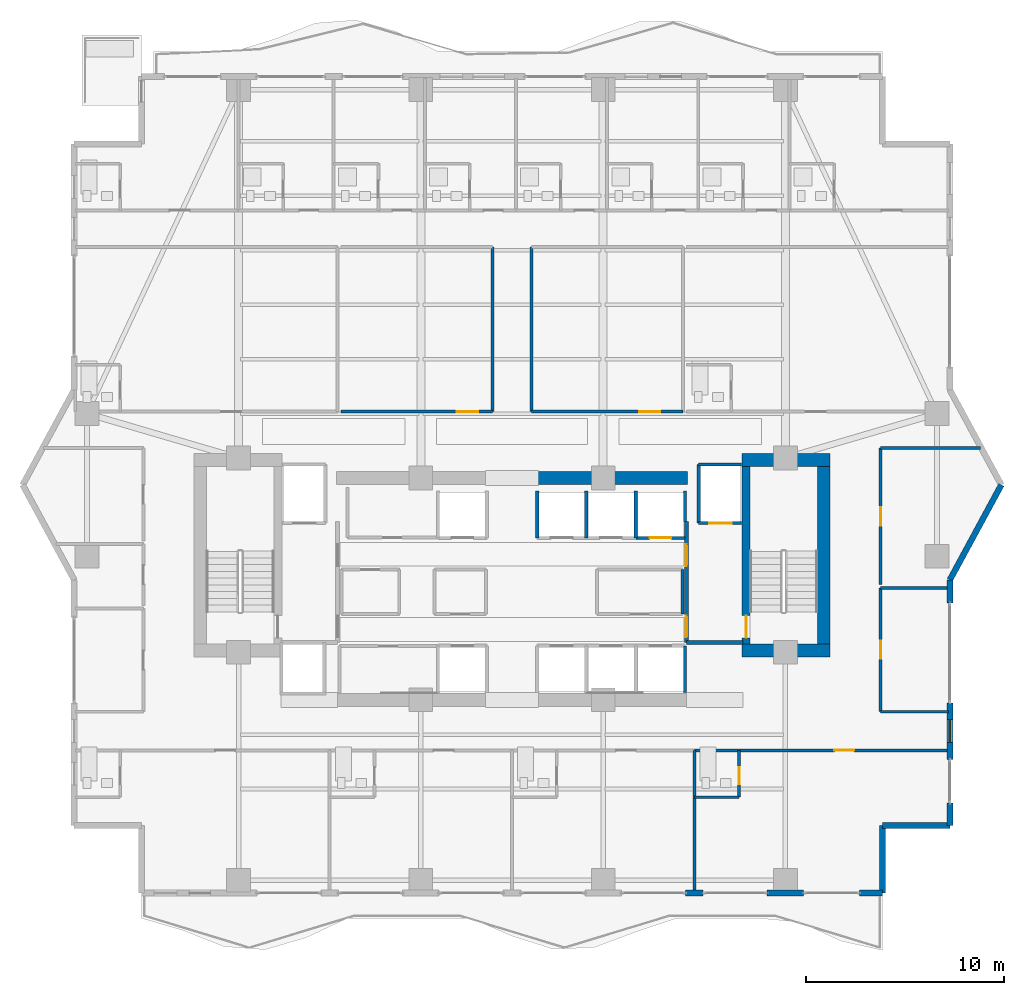
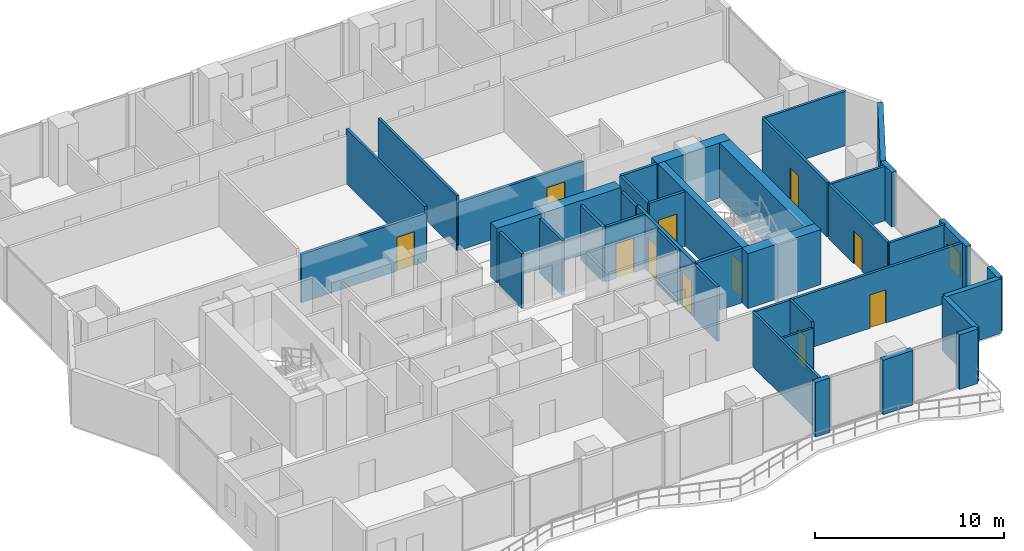
# One storey, part 26 of 32: 39 walls, 11 doors, 1 window, 12 openings.
"""IFC4 building model written with IfcOpenShell, lengths in metres."""

from ifc_helpers import new_model, si_unit, direction, frame, frame_2d, origin, place, context, subcontext, project, spatial, rectangle, extrude, material, layer, layer_set, type_object, element, fill, save


model = new_model("IFC4")

# Units and contexts
model_context = context("Model", 3, precision=1e-05, world=origin(), true_north=direction((0.0, 1.0)))
body_context = subcontext(model_context, "Body", "Model", "MODEL_VIEW")
ifc_project = project(units=[si_unit("LENGTHUNIT", "METRE"), si_unit("AREAUNIT", "SQUARE_METRE"), si_unit("VOLUMEUNIT", "CUBIC_METRE"), si_unit("PLANEANGLEUNIT", "RADIAN"), si_unit("MASSUNIT", "GRAM", prefix="KILO")], contexts=[model_context])

# Site, building, storey
site_placement = place(None, origin())
site = spatial("IfcSite", under=ifc_project, at=site_placement, CompositionType="ELEMENT")
building_placement = place(site_placement, origin())
building = spatial("IfcBuilding", under=site, at=building_placement, Name="Zuhayl Quay Hotel", CompositionType="ELEMENT")
storey_placement = place(building_placement, frame((0.0, 0.0, 226.14990234375)))
storey = spatial("IfcBuildingStorey", under=building, at=storey_placement, Name="L57", CompositionType="ELEMENT", Elevation=226.14990234375)

# Walls
ifc_material_1 = material(Name="Concrete C50/60", Category="concrete")
ifc_layer_1 = layer(ifc_material_1, 0.64990234375, Name="Concrete C50/60", Category="concrete")
ifc_layer_set_1 = layer_set([ifc_layer_1], Name="Concrete C50/60")
wall_type_1 = type_object("IfcWallType", Name="WL_CORE_650", PredefinedType="SHEAR", material=ifc_layer_set_1)
wall_1_placement = place(storey_placement, frame((11.60009765625, 14.2548828125, 0.0), z_axis=(0.0, 0.0, 1.0), x_axis=(1.0, 0.0, 0.0)))
element("IfcWall", 1, at=wall_1_placement, inside=storey, type_object=wall_type_1, Name="L57 Core Shear Wall CW_NE", PredefinedType="SHEAR", context=body_context, shape_type="SweptSolid", body=[
    extrude(rectangle(XDim=4.4599609375, YDim=0.64990234375, at=frame_2d((2.22998046875, 0.0))), origin(), (0.0, 0.0, 1.0), 3.56005859375),
])
wall_2_placement = place(storey_placement, frame((15.735107421875, 4.969970703125, 0.0), z_axis=(0.0, 0.0, 1.0), x_axis=(0.0, 1.0, 0.0)))
element("IfcWall", 2, at=wall_2_placement, inside=storey, type_object=wall_type_1, Name="L57 Core Shear Wall CW_E", PredefinedType="SHEAR", context=body_context, shape_type="SweptSolid", body=[
    extrude(rectangle(XDim=8.9599609375, YDim=0.64990234375, at=frame_2d((4.47998046875, 0.0))), origin(), (0.0, 0.0, 1.0), 3.56005859375),
])
wall_3_placement = place(storey_placement, frame((11.60009765625, 4.64501953125, 0.0), z_axis=(0.0, 0.0, 1.0), x_axis=(1.0, 0.0, 0.0)))
element("IfcWall", 3, at=wall_3_placement, inside=storey, type_object=wall_type_1, Name="L57 Core Shear Wall CW_SE", PredefinedType="SHEAR", context=body_context, shape_type="SweptSolid", body=[
    extrude(rectangle(XDim=4.4599609375, YDim=0.64990234375, at=frame_2d((2.22998046875, 0.0))), origin(), (0.0, 0.0, 1.0), 3.56005859375),
])
wall_4_placement = place(storey_placement, frame((1.25, 13.35009765625, 0.0), z_axis=(0.0, 0.0, 1.0), x_axis=(1.0, 0.0, 0.0)))
element("IfcWall", 4, at=wall_4_placement, inside=storey, type_object=wall_type_1, Name="L57 Core Shear Wall CW_NC_E", PredefinedType="SHEAR", context=body_context, shape_type="SweptSolid", body=[
    extrude(rectangle(XDim=7.60009765625, YDim=0.64990234375, at=frame_2d((3.800048828125, 0.0))), origin(), (0.0, 0.0, 1.0), 3.530029296875),
])
ifc_material_2 = material(Name="Precast concrete C45/55", Category="concrete")
ifc_layer_2 = layer(ifc_material_2, 0.300048828125, Name="Precast concrete C45/55", Category="concrete")
ifc_layer_set_2 = layer_set([ifc_layer_2], Name="Precast concrete C45/55")
wall_type_2 = type_object("IfcWallType", Name="WL_EXT_300", PredefinedType="STANDARD", material=ifc_layer_set_2)
wall_5_placement = place(storey_placement, frame((24.699951171875, 13.0, 0.0), z_axis=(0.0, 0.0, 1.0), x_axis=(-0.476258655584, -0.879305233114, 0.0)))
element("IfcWall", 5, at=wall_5_placement, inside=storey, type_object=wall_type_2, Name="L57 Exterior Precast Wall ENV_L57_EW13", PredefinedType="STANDARD", context=body_context, shape_type="SweptSolid", body=[
    extrude(rectangle(XDim=5.458984375, YDim=0.300048828125, at=frame_2d((2.7294921875, 0.0))), origin(), (0.0, 0.0, 1.0), 3.530029296875),
])
wall_6_placement = place(storey_placement, frame((22.10009765625, 8.199951171875, 0.0), z_axis=(0.0, 0.0, 1.0), x_axis=(0.0, -1.0, 0.0)))
element("IfcWall", 6, at=wall_6_placement, inside=storey, type_object=wall_type_2, Name="L57 Exterior Precast Wall ENV_L57_E14_EW1", PredefinedType="STANDARD", context=body_context, shape_type="SweptSolid", body=[
    extrude(rectangle(XDim=1.14990234375, YDim=0.300048828125, at=frame_2d((0.574951171875, 0.0))), origin(), (0.0, 0.0, 1.0), 3.530029296875),
])

# Wall, opening, window
wall_7_placement = place(storey_placement, frame((22.10009765625, 2.0, 0.0), z_axis=(0.0, 0.0, 1.0), x_axis=(0.0, -1.0, 0.0)))
wall_7 = element("IfcWall", 7, at=wall_7_placement, inside=storey, type_object=wall_type_2, Name="L57 Exterior Precast Wall ENV_L57_E14_EW2", PredefinedType="STANDARD", context=body_context, shape_type="SweptSolid", body=[
    extrude(rectangle(XDim=2.85009765625, YDim=0.300048828125, at=frame_2d((1.425048828125, 0.0))), origin(), (0.0, 0.0, 1.0), 3.530029296875),
])
opening_1_placement = place(wall_7_placement, frame((0.85009765625, 0.0, 0.949951171875)))
opening_1 = element("IfcOpeningElement", 8, at=opening_1_placement, cuts=wall_7, Name="Opening W01N", PredefinedType="OPENING", context=body_context, shape_type="SweptSolid", body=[
    extrude(rectangle(XDim=1.14990234375, YDim=1.550048828125, at=frame_2d((0.574951171875, 0.77490234375))), frame((0.0, 0.159912109375, 0.0), z_axis=(0.0, -1.0, 0.0), x_axis=(1.0, 0.0, 0.0)), (0.0, 0.0, 1.0), 0.320068359375),
])
ifc_material_3 = material(Name="Dark Ceramic-Fritted Solar Glass", Category="glass")
window_type = type_object("IfcWindowType", Name="WN_NOTCH_1350", PartitioningType="SINGLE_PANEL", PredefinedType="WINDOW", material=ifc_material_3)
window_placement = place(opening_1_placement, origin())
window = element("IfcWindow", 9, at=window_placement, inside=storey, type_object=window_type, Name="L57 Operable Facade Window 2-1", OverallHeight=1.550048828125, OverallWidth=1.14990234375, PartitioningType="SINGLE_PANEL", PredefinedType="WINDOW", context=body_context, shape_type="SweptSolid", body=[
    extrude(rectangle(XDim=1.14990234375, YDim=1.550048828125, at=frame_2d((0.574951171875, 0.77490234375))), frame((0.0, 0.030029296875, 0.0), z_axis=(0.0, -1.0, 0.0), x_axis=(1.0, 0.0, 0.0)), (0.0, 0.0, 1.0), 0.06005859375),
])
fill(opening_1, window)

# Walls
wall_8_placement = place(storey_placement, frame((22.10009765625, -3.050048828125, 0.0), z_axis=(0.0, 0.0, 1.0), x_axis=(0.0, -1.0, 0.0)))
element("IfcWall", 10, at=wall_8_placement, inside=storey, type_object=wall_type_2, Name="L57 Exterior Precast Wall ENV_L57_E14_EW3", PredefinedType="STANDARD", context=body_context, shape_type="SweptSolid", body=[
    extrude(rectangle(XDim=1.14990234375, YDim=0.300048828125, at=frame_2d((0.574951171875, 0.0))), origin(), (0.0, 0.0, 1.0), 3.530029296875),
])
for number, where, z_axis, x_axis, name in (
    (11, (22.10009765625, -4.199951171875, 0.0), (0.0, 0.0, 1.0), (-1.0, 0.0, 0.0), "L57 Exterior Precast Wall ENV_L57_EW15"),
    (12, (18.699951171875, -4.199951171875, 0.0), (0.0, 0.0, 1.0), (0.0, -1.0, 0.0), "L57 Exterior Precast Wall ENV_L57_EW16"),
):
    element("IfcWall", number, at=place(storey_placement, frame(where, z_axis=z_axis, x_axis=x_axis)), inside=storey, type_object=wall_type_2, Name=name, PredefinedType="STANDARD", context=body_context, shape_type="SweptSolid", body=[
        extrude(rectangle(XDim=3.400146484375, YDim=0.300048828125, at=frame_2d((1.7001953125, 0.0))), origin(), (0.0, 0.0, 1.0), 3.530029296875),
    ])
wall_9_placement = place(storey_placement, frame((18.699951171875, -7.60009765625, 0.0), z_axis=(0.0, 0.0, 1.0), x_axis=(-1.0, 0.0, 0.0)))
element("IfcWall", 13, at=wall_9_placement, inside=storey, type_object=wall_type_2, Name="L57 Exterior Precast Wall ENV_L57_S_EW1", PredefinedType="STANDARD", context=body_context, shape_type="SweptSolid", body=[
    extrude(rectangle(XDim=1.14990234375, YDim=0.300048828125, at=frame_2d((0.574951171875, 0.0))), origin(), (0.0, 0.0, 1.0), 3.530029296875),
])
wall_10_placement = place(storey_placement, frame((14.719970703125, -7.60009765625, 0.0), z_axis=(0.0, 0.0, 1.0), x_axis=(-1.0, 0.0, 0.0)))
element("IfcWall", 14, at=wall_10_placement, inside=storey, type_object=wall_type_2, Name="L57 Exterior Precast Wall ENV_L57_S_EW2", PredefinedType="STANDARD", context=body_context, shape_type="SweptSolid", body=[
    extrude(rectangle(XDim=1.840087890625, YDim=0.300048828125, at=frame_2d((0.919921875, 0.0))), origin(), (0.0, 0.0, 1.0), 3.530029296875),
])
wall_11_placement = place(storey_placement, frame((9.64990234375, -7.60009765625, 0.0), z_axis=(0.0, 0.0, 1.0), x_axis=(-1.0, 0.0, 0.0)))
element("IfcWall", 15, at=wall_11_placement, inside=storey, type_object=wall_type_2, Name="L57 Exterior Precast Wall ENV_L57_S_EW3", PredefinedType="STANDARD", context=body_context, shape_type="SweptSolid", body=[
    extrude(rectangle(XDim=0.89990234375, YDim=0.300048828125, at=frame_2d((0.449951171875, 0.0))), origin(), (0.0, 0.0, 1.0), 3.530029296875),
])
ifc_material_4 = material(Name="Acoustic Gypsum Partition STC-58")
ifc_layer_3 = layer(ifc_material_4, 0.14990234375, Name="Acoustic Gypsum Partition STC-58")
ifc_layer_set_3 = layer_set([ifc_layer_3], Name="Acoustic Gypsum Partition STC-58")
wall_type_3 = type_object("IfcWallType", Name="WL_PART_150", PredefinedType="PARTITIONING", material=ifc_layer_set_3)
wall_12_placement = place(storey_placement, frame((8.610107421875, 6.47998046875, 0.0), z_axis=(0.0, 0.0, 1.0), x_axis=(0.0, 1.0, 0.0)))
element("IfcWall", 16, at=wall_12_placement, inside=storey, type_object=wall_type_3, Name="L57 Partition IW_L57_CORE_VL_E", PredefinedType="PARTITIONING", context=body_context, shape_type="SweptSolid", body=[
    extrude(rectangle(XDim=2.239990234375, YDim=0.14990234375, at=frame_2d((1.1201171875, 0.0))), origin(), (0.0, 0.0, 1.0), 3.530029296875),
])
for number, where, z_axis, x_axis, name in (
    (17, (-0.97998046875, 16.699951171875, 0.0), (0.0, 0.0, 1.0), (0.0, 1.0, 0.0), "L57 Partition IW_L57_Z3_MID_W_E"),
    (18, (0.97998046875, 16.699951171875, 0.0), (0.0, 0.0, 1.0), (0.0, 1.0, 0.0), "L57 Partition IW_L57_Z3_MID_E_W"),
):
    element("IfcWall", number, at=place(storey_placement, frame(where, z_axis=z_axis, x_axis=x_axis)), inside=storey, type_object=wall_type_3, Name=name, PredefinedType="PARTITIONING", context=body_context, shape_type="SweptSolid", body=[
        extrude(rectangle(XDim=8.300048828125, YDim=0.14990234375, at=frame_2d((4.14990234375, 0.0))), origin(), (0.0, 0.0, 1.0), 3.530029296875),
    ])
wall_13_placement = place(storey_placement, frame((9.199951171875, -7.52001953125, 0.0), z_axis=(0.0, 0.0, 1.0), x_axis=(0.0, 1.0, 0.0)))
element("IfcWall", 19, at=wall_13_placement, inside=storey, type_object=wall_type_3, Name="L57 Partition IW_L57_SU03_E", PredefinedType="PARTITIONING", context=body_context, shape_type="SweptSolid", body=[
    extrude(rectangle(XDim=7.1201171875, YDim=0.14990234375, at=frame_2d((3.56005859375, 0.0))), origin(), (0.0, 0.0, 1.0), 3.530029296875),
])
for number, where, z_axis, x_axis, name in (
    (20, (18.60009765625, 1.550048828125, 0.0), (0.0, 0.0, 1.0), (1.0, 0.0, 0.0), "L57 Partition IW_L57_HK_MAIN_S"),
    (21, (18.60009765625, 7.800048828125, 0.0), (0.0, 0.0, 1.0), (1.0, 0.0, 0.0), "L57 Partition IW_L57_HK_MAIN_N"),
):
    element("IfcWall", number, at=place(storey_placement, frame(where, z_axis=z_axis, x_axis=x_axis)), inside=storey, type_object=wall_type_3, Name=name, PredefinedType="PARTITIONING", context=body_context, shape_type="SweptSolid", body=[
        extrude(rectangle(XDim=3.43994140625, YDim=0.14990234375, at=frame_2d((1.719970703125, 0.0))), origin(), (0.0, 0.0, 1.0), 3.530029296875),
    ])
wall_14_placement = place(storey_placement, frame((18.60009765625, 14.85009765625, 0.0), z_axis=(0.0, 0.0, 1.0), x_axis=(1.0, 0.0, 0.0)))
element("IfcWall", 22, at=wall_14_placement, inside=storey, type_object=wall_type_3, Name="L57 Partition IW_L57_EFLK_2_N", PredefinedType="PARTITIONING", context=body_context, shape_type="SweptSolid", body=[
    extrude(rectangle(XDim=5.037841796875, YDim=0.14990234375, at=frame_2d((2.51904296875, 0.0))), origin(), (0.0, 0.0, 1.0), 3.530029296875),
])

# Wall, opening, door
ifc_layer_4 = layer(ifc_material_4, 0.159912109375, Name="Acoustic Gypsum Partition STC-58")
ifc_layer_set_4 = layer_set([ifc_layer_4], Name="Acoustic Gypsum Partition STC-58")
wall_type_4 = type_object("IfcWallType", Name="WL_PART_CORR_160", PredefinedType="PARTITIONING", material=ifc_layer_set_4)
wall_15_placement = place(storey_placement, frame((-8.639892578125, 16.699951171875, 0.0), z_axis=(0.0, 0.0, 1.0), x_axis=(1.0, 0.0, 0.0)))
wall_15 = element("IfcWall", 23, at=wall_15_placement, inside=storey, type_object=wall_type_4, Name="L57 Partition IW_L57_Z3_MID_W_S", PredefinedType="PARTITIONING", context=body_context, shape_type="SweptSolid", body=[
    extrude(rectangle(XDim=7.659912109375, YDim=0.159912109375, at=frame_2d((3.830078125, 0.0))), origin(), (0.0, 0.0, 1.0), 3.1240234375),
])
opening_2_placement = place(wall_15_placement, frame((5.85009765625, 0.0, 0.0)))
opening_2 = element("IfcOpeningElement", 24, at=opening_2_placement, cuts=wall_15, Name="Opening D05A", PredefinedType="OPENING", context=body_context, shape_type="SweptSolid", body=[
    extrude(rectangle(XDim=1.080078125, YDim=2.179931640625, at=frame_2d((0.5400390625, 1.08984375))), frame((0.0, 0.08984375, 0.0), z_axis=(0.0, -1.0, 0.0), x_axis=(1.0, 0.0, 0.0)), (0.0, 0.0, 1.0), 0.179931640625),
])
ifc_material_5 = material(Name="Solid Walnut Acoustic Fire Door")
door_type_1 = type_object("IfcDoorType", Name="DR_INT_1100", OperationType="NOTDEFINED", PredefinedType="DOOR", material=ifc_material_5)
door_1_placement = place(opening_2_placement, origin())
door_1 = element("IfcDoor", 25, at=door_1_placement, inside=storey, type_object=door_type_1, Name="L57 Club Salon Boardroom Door", OperationType="SINGLE_SWING_RIGHT", OverallHeight=2.179931640625, OverallWidth=1.080078125, PredefinedType="DOOR", context=body_context, shape_type="SweptSolid", body=[
    extrude(rectangle(XDim=1.080078125, YDim=2.179931640625, at=frame_2d((0.5400390625, 1.08984375))), frame((0.0, 0.02490234375, 0.0), z_axis=(0.0, -1.0, 0.0), x_axis=(1.0, 0.0, 0.0)), (0.0, 0.0, 1.0), 0.050048828125),
])
fill(opening_2, door_1)

wall_16_placement = place(storey_placement, frame((0.97998046875, 16.699951171875, 0.0), z_axis=(0.0, 0.0, 1.0), x_axis=(1.0, 0.0, 0.0)))
wall_16 = element("IfcWall", 26, at=wall_16_placement, inside=storey, type_object=wall_type_4, Name="L57 Partition IW_L57_Z3_MID_E_S", PredefinedType="PARTITIONING", context=body_context, shape_type="SweptSolid", body=[
    extrude(rectangle(XDim=7.659912109375, YDim=0.159912109375, at=frame_2d((3.830078125, 0.0))), origin(), (0.0, 0.0, 1.0), 3.1240234375),
])
opening_3_placement = place(wall_16_placement, frame((5.429931640625, 0.0, 0.0)))
opening_3 = element("IfcOpeningElement", 27, at=opening_3_placement, cuts=wall_16, Name="Opening D05A", PredefinedType="OPENING", context=body_context, shape_type="SweptSolid", body=[
    extrude(rectangle(XDim=1.080078125, YDim=2.179931640625, at=frame_2d((0.5400390625, 1.08984375))), frame((0.0, 0.08984375, 0.0), z_axis=(0.0, -1.0, 0.0), x_axis=(1.0, 0.0, 0.0)), (0.0, 0.0, 1.0), 0.179931640625),
])
door_2_placement = place(opening_3_placement, origin())
door_2 = element("IfcDoor", 28, at=door_2_placement, inside=storey, type_object=door_type_1, Name="L57 Horizon Screening Salon Door", OperationType="SINGLE_SWING_LEFT", OverallHeight=2.179931640625, OverallWidth=1.080078125, PredefinedType="DOOR", context=body_context, shape_type="SweptSolid", body=[
    extrude(rectangle(XDim=1.080078125, YDim=2.179931640625, at=frame_2d((0.5400390625, 1.08984375))), frame((0.0, 0.02490234375, 0.0), z_axis=(0.0, -1.0, 0.0), x_axis=(1.0, 0.0, 0.0)), (0.0, 0.0, 1.0), 0.050048828125),
])
fill(opening_3, door_2)

wall_17_placement = place(storey_placement, frame((9.199951171875, -0.39990234375, 0.0), z_axis=(0.0, 0.0, 1.0), x_axis=(1.0, 0.0, 0.0)))
wall_17 = element("IfcWall", 29, at=wall_17_placement, inside=storey, type_object=wall_type_4, Name="L57 Partition IW_L57_SU04_COR", PredefinedType="PARTITIONING", context=body_context, shape_type="SweptSolid", body=[
    extrude(rectangle(XDim=12.840087890625, YDim=0.159912109375, at=frame_2d((6.419921875, 0.0))), origin(), (0.0, 0.0, 1.0), 3.530029296875),
])
opening_4_placement = place(wall_17_placement, frame((7.070068359375, 0.0, 0.0)))
opening_4 = element("IfcOpeningElement", 30, at=opening_4_placement, cuts=wall_17, Name="Opening D03L", PredefinedType="OPENING", context=body_context, shape_type="SweptSolid", body=[
    extrude(rectangle(XDim=1.0, YDim=2.14990234375, at=frame_2d((0.5, 1.074951171875))), frame((0.0, 0.08984375, 0.0), z_axis=(0.0, -1.0, 0.0), x_axis=(1.0, 0.0, 0.0)), (0.0, 0.0, 1.0), 0.179931640625),
])
door_type_2 = type_object("IfcDoorType", Name="DR_SUITE_1000", OperationType="NOTDEFINED", PredefinedType="DOOR", material=ifc_material_5)
door_3_placement = place(opening_4_placement, origin())
door_3 = element("IfcDoor", 31, at=door_3_placement, inside=storey, type_object=door_type_2, Name="L57 City-View Junior Suite L57-04 Entrance Door", OperationType="SINGLE_SWING_LEFT", OverallHeight=2.14990234375, OverallWidth=1.0, PredefinedType="DOOR", context=body_context, shape_type="SweptSolid", body=[
    extrude(rectangle(XDim=1.0, YDim=2.14990234375, at=frame_2d((0.5, 1.074951171875))), frame((0.0, 0.02490234375, 0.0), z_axis=(0.0, -1.0, 0.0), x_axis=(1.0, 0.0, 0.0)), (0.0, 0.0, 1.0), 0.050048828125),
])
fill(opening_4, door_3)

wall_18_placement = place(storey_placement, frame((18.60009765625, 1.550048828125, 0.0), z_axis=(0.0, 0.0, 1.0), x_axis=(0.0, 1.0, 0.0)))
wall_18 = element("IfcWall", 32, at=wall_18_placement, inside=storey, type_object=wall_type_4, Name="L57 Partition IW_L57_HK_MAIN_W", PredefinedType="PARTITIONING", context=body_context, shape_type="SweptSolid", body=[
    extrude(rectangle(XDim=6.25, YDim=0.159912109375, at=frame_2d((3.125, 0.0))), origin(), (0.0, 0.0, 1.0), 3.530029296875),
])
opening_5_placement = place(wall_18_placement, frame((2.6650390625, 0.0, 0.0)))
opening_5 = element("IfcOpeningElement", 33, at=opening_5_placement, cuts=wall_18, Name="Opening D05", PredefinedType="OPENING", context=body_context, shape_type="SweptSolid", body=[
    extrude(rectangle(XDim=0.919921875, YDim=2.1201171875, at=frame_2d((0.4599609375, 1.06005859375))), frame((0.0, 0.08984375, 0.0), z_axis=(0.0, -1.0, 0.0), x_axis=(1.0, 0.0, 0.0)), (0.0, 0.0, 1.0), 0.179931640625),
])
door_type_3 = type_object("IfcDoorType", Name="DR_INT_950", OperationType="NOTDEFINED", PredefinedType="DOOR", material=ifc_material_5)
door_4_placement = place(opening_5_placement, origin())
door_4 = element("IfcDoor", 34, at=door_4_placement, inside=storey, type_object=door_type_3, Name="L57 Housekeeping and Linen Room Door", OperationType="SINGLE_SWING_RIGHT", OverallHeight=2.1201171875, OverallWidth=0.919921875, PredefinedType="DOOR", context=body_context, shape_type="SweptSolid", body=[
    extrude(rectangle(XDim=0.919921875, YDim=2.1201171875, at=frame_2d((0.4599609375, 1.06005859375))), frame((0.0, 0.02490234375, 0.0), z_axis=(0.0, -1.0, 0.0), x_axis=(1.0, 0.0, 0.0)), (0.0, 0.0, 1.0), 0.050048828125),
])
fill(opening_5, door_4)

wall_19_placement = place(storey_placement, frame((18.60009765625, 7.9599609375, 0.0), z_axis=(0.0, 0.0, 1.0), x_axis=(0.0, 1.0, 0.0)))
wall_19 = element("IfcWall", 35, at=wall_19_placement, inside=storey, type_object=wall_type_4, Name="L57 Partition IW_L57_EFLK_2_W", PredefinedType="PARTITIONING", context=body_context, shape_type="SweptSolid", body=[
    extrude(rectangle(XDim=6.89013671875, YDim=0.159912109375, at=frame_2d((3.445068359375, 0.0))), origin(), (0.0, 0.0, 1.0), 3.530029296875),
])
opening_6_placement = place(wall_19_placement, frame((2.985107421875, 0.0, 0.0)))
opening_6 = element("IfcOpeningElement", 36, at=opening_6_placement, cuts=wall_19, Name="Opening D05", PredefinedType="OPENING", context=body_context, shape_type="SweptSolid", body=[
    extrude(rectangle(XDim=0.919921875, YDim=2.1201171875, at=frame_2d((0.4599609375, 1.06005859375))), frame((0.0, 0.08984375, 0.0), z_axis=(0.0, -1.0, 0.0), x_axis=(1.0, 0.0, 0.0)), (0.0, 0.0, 1.0), 0.179931640625),
])
door_5_placement = place(opening_6_placement, origin())
door_5 = element("IfcDoor", 37, at=door_5_placement, inside=storey, type_object=door_type_3, Name="L57 Floor Beverage and Ice Pantry Door", OperationType="SINGLE_SWING_LEFT", OverallHeight=2.1201171875, OverallWidth=0.919921875, PredefinedType="DOOR", context=body_context, shape_type="SweptSolid", body=[
    extrude(rectangle(XDim=0.919921875, YDim=2.1201171875, at=frame_2d((0.4599609375, 1.06005859375))), frame((0.0, 0.02490234375, 0.0), z_axis=(0.0, -1.0, 0.0), x_axis=(1.0, 0.0, 0.0)), (0.0, 0.0, 1.0), 0.050048828125),
])
fill(opening_6, door_5)

ifc_material_6 = material(Name="Moisture-Resistant Sanitarychase Gypsum")
ifc_layer_5 = layer(ifc_material_6, 0.135009765625, Name="Moisture-Resistant Sanitarychase Gypsum")
ifc_layer_set_5 = layer_set([ifc_layer_5], Name="Moisture-Resistant Sanitarychase Gypsum")
wall_type_5 = type_object("IfcWallType", Name="WL_PART_PLUMB_150", PredefinedType="PLUMBINGWALL", material=ifc_layer_set_5)
wall_20_placement = place(storey_placement, frame((11.4599609375, -2.760009765625, 0.0), z_axis=(0.0, 0.0, 1.0), x_axis=(0.0, 1.0, 0.0)))
wall_20 = element("IfcWall", 38, at=wall_20_placement, inside=storey, type_object=wall_type_5, Name="L57 Partition IW_L57_SU04_BE", PredefinedType="PLUMBINGWALL", context=body_context, shape_type="SweptSolid", body=[
    extrude(rectangle(XDim=2.360107421875, YDim=0.135009765625, at=frame_2d((1.18017578125, 0.0))), origin(), (0.0, 0.0, 1.0), 3.530029296875),
])
opening_7_placement = place(wall_20_placement, frame((0.64990234375, 0.0, 0.0)))
opening_7 = element("IfcOpeningElement", 39, at=opening_7_placement, cuts=wall_20, Name="Opening D04", PredefinedType="OPENING", context=body_context, shape_type="SweptSolid", body=[
    extrude(rectangle(XDim=0.85009765625, YDim=2.10009765625, at=frame_2d((0.425048828125, 1.050048828125))), frame((0.0, 0.077392578125, 0.0), z_axis=(0.0, -1.0, 0.0), x_axis=(1.0, 0.0, 0.0)), (0.0, 0.0, 1.0), 0.155029296875),
])
ifc_material_7 = material(Name="Moisture-Resistant Walnut Veneer")
door_type_4 = type_object("IfcDoorType", Name="DR_BATH_850", OperationType="NOTDEFINED", PredefinedType="DOOR", material=ifc_material_7)
door_6_placement = place(opening_7_placement, origin())
door_6 = element("IfcDoor", 40, at=door_6_placement, inside=storey, type_object=door_type_4, Name="L57 City-View Junior Suite L57-04 En-Suite Door", OperationType="SINGLE_SWING_RIGHT", OverallHeight=2.10009765625, OverallWidth=0.85009765625, PredefinedType="DOOR", context=body_context, shape_type="SweptSolid", body=[
    extrude(rectangle(XDim=0.85009765625, YDim=2.10009765625, at=frame_2d((0.425048828125, 1.050048828125))), frame((0.0, 0.02490234375, 0.0), z_axis=(0.0, -1.0, 0.0), x_axis=(1.0, 0.0, 0.0)), (0.0, 0.0, 1.0), 0.050048828125),
])
fill(opening_7, door_6)

# Wall
wall_21_placement = place(storey_placement, frame((9.199951171875, -2.760009765625, 0.0), z_axis=(0.0, 0.0, 1.0), x_axis=(1.0, 0.0, 0.0)))
element("IfcWall", 41, at=wall_21_placement, inside=storey, type_object=wall_type_5, Name="L57 Partition IW_L57_SU04_BS", PredefinedType="PLUMBINGWALL", context=body_context, shape_type="SweptSolid", body=[
    extrude(rectangle(XDim=2.260009765625, YDim=0.135009765625, at=frame_2d((1.1298828125, 0.0))), origin(), (0.0, 0.0, 1.0), 3.1240234375),
])

# Wall, opening, door
ifc_material_8 = material(Name="Gypsum Fireboard Assembly EI-90")
ifc_layer_6 = layer(ifc_material_8, 0.1650390625, Name="Gypsum Fireboard Assembly EI-90")
ifc_layer_set_6 = layer_set([ifc_layer_6], Name="Gypsum Fireboard Assembly EI-90")
wall_type_6 = type_object("IfcWallType", Name="WL_PART_SHAFT_160", PredefinedType="PARTITIONING", material=ifc_layer_set_6)
wall_22_placement = place(storey_placement, frame((9.419921875, 11.070068359375, 0.0), z_axis=(0.0, 0.0, 1.0), x_axis=(1.0, 0.0, 0.0)))
wall_22 = element("IfcWall", 42, at=wall_22_placement, inside=storey, type_object=wall_type_6, Name="L57 Partition IW_L57_SH_FL2_F", PredefinedType="PARTITIONING", context=body_context, shape_type="SweptSolid", body=[
    extrude(rectangle(XDim=2.16015625, YDim=0.1650390625, at=frame_2d((1.080078125, 0.0))), origin(), (0.0, 0.0, 1.0), 3.530029296875),
])
opening_8_placement = place(wall_22_placement, frame((0.530029296875, 0.0, 0.0)))
opening_8 = element("IfcOpeningElement", 43, at=opening_8_placement, cuts=wall_22, Name="Opening LD2", PredefinedType="OPENING", context=body_context, shape_type="SweptSolid", body=[
    extrude(rectangle(XDim=1.14990234375, YDim=2.25, at=frame_2d((0.574951171875, 1.125))), frame((0.0, 0.092529296875, 0.0), z_axis=(0.0, -1.0, 0.0), x_axis=(1.0, 0.0, 0.0)), (0.0, 0.0, 1.0), 0.18505859375),
])
ifc_material_9 = material(Name="Brushed Stainless Steel", Category="steel")
door_type_5 = type_object("IfcDoorType", Name="DR_LIFT_FF_1100", OperationType="SLIDING_TO_LEFT", PredefinedType="DOOR", material=ifc_material_9)
door_7_placement = place(opening_8_placement, origin())
door_7 = element("IfcDoor", 44, at=door_7_placement, inside=storey, type_object=door_type_5, Name="L57 Lift FL2 Sliding Landing Door", OperationType="SLIDING_TO_LEFT", OverallHeight=2.25, OverallWidth=1.14990234375, PredefinedType="DOOR", context=body_context, shape_type="SweptSolid", body=[
    extrude(rectangle(XDim=1.14990234375, YDim=2.25, at=frame_2d((0.574951171875, 1.125))), frame((0.0, 0.02490234375, 0.0), z_axis=(0.0, -1.0, 0.0), x_axis=(1.0, 0.0, 0.0)), (0.0, 0.0, 1.0), 0.050048828125),
])
fill(opening_8, door_7)

wall_23_placement = place(storey_placement, frame((6.25, 10.320068359375, 0.0), z_axis=(0.0, 0.0, 1.0), x_axis=(1.0, 0.0, 0.0)))
wall_23 = element("IfcWall", 45, at=wall_23_placement, inside=storey, type_object=wall_type_6, Name="L57 Partition IW_L57_SH_HP4_F", PredefinedType="PARTITIONING", context=body_context, shape_type="SweptSolid", body=[
    extrude(rectangle(XDim=2.47998046875, YDim=0.1650390625, at=frame_2d((1.239990234375, 0.0))), origin(), (0.0, 0.0, 1.0), 3.530029296875),
])
opening_9_placement = place(wall_23_placement, frame((0.68994140625, 0.0, 0.0)))
opening_9 = element("IfcOpeningElement", 46, at=opening_9_placement, cuts=wall_23, Name="Opening LD1", PredefinedType="OPENING", context=body_context, shape_type="SweptSolid", body=[
    extrude(rectangle(XDim=1.10009765625, YDim=2.25, at=frame_2d((0.550048828125, 1.125))), frame((0.0, 0.092529296875, 0.0), z_axis=(0.0, -1.0, 0.0), x_axis=(1.0, 0.0, 0.0)), (0.0, 0.0, 1.0), 0.18505859375),
])
door_type_6 = type_object("IfcDoorType", Name="DR_LIFT_PASS_1100", OperationType="SLIDING_TO_LEFT", PredefinedType="DOOR", material=ifc_material_9)
door_8_placement = place(opening_9_placement, origin())
door_8 = element("IfcDoor", 47, at=door_8_placement, inside=storey, type_object=door_type_6, Name="L57 Lift HP4 Sliding Landing Door", OperationType="SLIDING_TO_LEFT", OverallHeight=2.25, OverallWidth=1.10009765625, PredefinedType="DOOR", context=body_context, shape_type="SweptSolid", body=[
    extrude(rectangle(XDim=1.10009765625, YDim=2.25, at=frame_2d((0.550048828125, 1.125))), frame((0.0, 0.02490234375, 0.0), z_axis=(0.0, -1.0, 0.0), x_axis=(1.0, 0.0, 0.0)), (0.0, 0.0, 1.0), 0.050048828125),
])
fill(opening_9, door_8)

# Walls
wall_24_placement = place(storey_placement, frame((9.419921875, 11.070068359375, 0.0), z_axis=(0.0, 0.0, 1.0), x_axis=(0.0, 1.0, 0.0)))
element("IfcWall", 48, at=wall_24_placement, inside=storey, type_object=wall_type_6, Name="L57 Partition IW_L57_SH_FL2_W", PredefinedType="PARTITIONING", context=body_context, shape_type="SweptSolid", body=[
    extrude(rectangle(XDim=2.9599609375, YDim=0.1650390625, at=frame_2d((1.47998046875, 0.0))), origin(), (0.0, 0.0, 1.0), 3.530029296875),
])
wall_25_placement = place(storey_placement, frame((9.419921875, 14.030029296875, 0.0), z_axis=(0.0, 0.0, 1.0), x_axis=(1.0, 0.0, 0.0)))
element("IfcWall", 49, at=wall_25_placement, inside=storey, type_object=wall_type_6, Name="L57 Partition IW_L57_SH_FL2_B", PredefinedType="PARTITIONING", context=body_context, shape_type="SweptSolid", body=[
    extrude(rectangle(XDim=2.16015625, YDim=0.1650390625, at=frame_2d((1.080078125, 0.0))), origin(), (0.0, 0.0, 1.0), 3.530029296875),
])
for number, where, z_axis, x_axis, name in (
    (50, (1.27001953125, 10.320068359375, 0.0), (0.0, 0.0, 1.0), (0.0, 1.0, 0.0), "L57 Partition IW_L57_SH_MP4_W"),
    (51, (3.75, 10.320068359375, 0.0), (0.0, 0.0, 1.0), (0.0, 1.0, 0.0), "L57 Partition IW_L57_SH_MP4_E"),
    (52, (8.72998046875, 2.52001953125, 0.0), (0.0, 0.0, 1.0), (0.0, 1.0, 0.0), "L57 Partition IW_L57_SH_HP2_E"),
    (53, (6.25, 10.320068359375, 0.0), (0.0, 0.0, 1.0), (0.0, 1.0, 0.0), "L57 Partition IW_L57_SH_HP3_E"),
):
    element("IfcWall", number, at=place(storey_placement, frame(where, z_axis=z_axis, x_axis=x_axis)), inside=storey, type_object=wall_type_6, Name=name, PredefinedType="PARTITIONING", context=body_context, shape_type="SweptSolid", body=[
        extrude(rectangle(XDim=2.35986328125, YDim=0.1650390625, at=frame_2d((1.179931640625, 0.0))), origin(), (0.0, 0.0, 1.0), 3.530029296875),
    ])
wall_26_placement = place(storey_placement, frame((8.72998046875, 11.14990234375, 0.0), z_axis=(0.0, 0.0, 1.0), x_axis=(0.0, 1.0, 0.0)))
element("IfcWall", 54, at=wall_26_placement, inside=storey, type_object=wall_type_6, Name="L57 Partition IW_L57_SH_HP4_E", PredefinedType="PARTITIONING", context=body_context, shape_type="SweptSolid", body=[
    extrude(rectangle(XDim=1.530029296875, YDim=0.1650390625, at=frame_2d((0.76513671875, 0.0))), origin(), (0.0, 0.0, 1.0), 3.530029296875),
])

# Wall, openings, doors
ifc_material_10 = material(Name="Gypsum Fireboard Assembly EI-120")
ifc_layer_7 = layer(ifc_material_10, 0.199951171875, Name="Gypsum Fireboard Assembly EI-120")
ifc_layer_set_7 = layer_set([ifc_layer_7], Name="Gypsum Fireboard Assembly EI-120")
wall_type_7 = type_object("IfcWallType", Name="WL_PART_SHAFT_200", PredefinedType="PARTITIONING", material=ifc_layer_set_7)
wall_27_placement = place(storey_placement, frame((8.800048828125, 11.14990234375, 0.0), z_axis=(0.0, 0.0, 1.0), x_axis=(0.0, -1.0, 0.0)))
wall_27 = element("IfcWall", 55, at=wall_27_placement, inside=storey, type_object=wall_type_7, Name="L57 Partition IW_L57_FSAE_E_W", PredefinedType="PARTITIONING", context=body_context, shape_type="SweptSolid", body=[
    extrude(rectangle(XDim=6.099853515625, YDim=0.199951171875, at=frame_2d((3.0498046875, 0.0))), origin(), (0.0, 0.0, 1.0), 3.530029296875),
])
opening_10_placement = place(wall_27_placement, frame((1.14990234375, 0.0, 0.0)))
opening_10 = element("IfcOpeningElement", 56, at=opening_10_placement, cuts=wall_27, Name="Opening D02", PredefinedType="OPENING", context=body_context, shape_type="SweptSolid", body=[
    extrude(rectangle(XDim=1.10009765625, YDim=2.199951171875, at=frame_2d((0.550048828125, 1.10009765625))), frame((0.0, 0.10986328125, 0.0), z_axis=(0.0, -1.0, 0.0), x_axis=(1.0, 0.0, 0.0)), (0.0, 0.0, 1.0), 0.219970703125),
])
opening_11_placement = place(wall_27_placement, frame((4.75, 0.0, 0.0)))
opening_11 = element("IfcOpeningElement", 57, at=opening_11_placement, cuts=wall_27, Name="Opening D02", PredefinedType="OPENING", context=body_context, shape_type="SweptSolid", body=[
    extrude(rectangle(XDim=1.10009765625, YDim=2.199951171875, at=frame_2d((0.550048828125, 1.10009765625))), frame((0.0, 0.10986328125, 0.0), z_axis=(0.0, -1.0, 0.0), x_axis=(1.0, 0.0, 0.0)), (0.0, 0.0, 1.0), 0.219970703125),
])
ifc_material_11 = material(Name="Steel ASTM A992 Grade 50", Category="steel")
door_type_7 = type_object("IfcDoorType", Name="DR_FIRE_90_1100", OperationType="NOTDEFINED", PredefinedType="DOOR", material=ifc_material_11)
door_9_placement = place(opening_10_placement, origin())
door_9 = element("IfcDoor", 58, at=door_9_placement, inside=storey, type_object=door_type_7, Name="L57 FSAE Lobby East North Entry Door", OperationType="SINGLE_SWING_LEFT", OverallHeight=2.199951171875, OverallWidth=1.10009765625, PredefinedType="DOOR", context=body_context, shape_type="SweptSolid", body=[
    extrude(rectangle(XDim=1.10009765625, YDim=2.199951171875, at=frame_2d((0.550048828125, 1.10009765625))), frame((0.0, 0.02490234375, 0.0), z_axis=(0.0, -1.0, 0.0), x_axis=(1.0, 0.0, 0.0)), (0.0, 0.0, 1.0), 0.050048828125),
])
fill(opening_10, door_9)
door_10_placement = place(opening_11_placement, origin())
door_10 = element("IfcDoor", 59, at=door_10_placement, inside=storey, type_object=door_type_7, Name="L57 FSAE Lobby East South Entry Door", OperationType="SINGLE_SWING_RIGHT", OverallHeight=2.199951171875, OverallWidth=1.10009765625, PredefinedType="DOOR", context=body_context, shape_type="SweptSolid", body=[
    extrude(rectangle(XDim=1.10009765625, YDim=2.199951171875, at=frame_2d((0.550048828125, 1.10009765625))), frame((0.0, 0.02490234375, 0.0), z_axis=(0.0, -1.0, 0.0), x_axis=(1.0, 0.0, 0.0)), (0.0, 0.0, 1.0), 0.050048828125),
])
fill(opening_11, door_10)

# Wall
wall_28_placement = place(storey_placement, frame((8.800048828125, 5.050048828125, 0.0), z_axis=(0.0, 0.0, 1.0), x_axis=(1.0, 0.0, 0.0)))
element("IfcWall", 60, at=wall_28_placement, inside=storey, type_object=wall_type_7, Name="L57 Partition IW_L57_FSAE_E_S", PredefinedType="PARTITIONING", context=body_context, shape_type="SweptSolid", body=[
    extrude(rectangle(XDim=2.849853515625, YDim=0.199951171875, at=frame_2d((1.4248046875, 0.0))), origin(), (0.0, 0.0, 1.0), 3.530029296875),
])

# Wall, opening, door
ifc_material_12 = material(Name="Concrete C60/75", Category="concrete")
ifc_layer_8 = layer(ifc_material_12, 0.39990234375, Name="Concrete C60/75", Category="concrete")
ifc_layer_set_8 = layer_set([ifc_layer_8], Name="Concrete C60/75")
wall_type_8 = type_object("IfcWallType", Name="WL_STAIR_400", PredefinedType="SHEAR", material=ifc_layer_set_8)
wall_29_placement = place(storey_placement, frame((11.820068359375, 13.929931640625, 0.0), z_axis=(0.0, 0.0, 1.0), x_axis=(0.0, -1.0, 0.0)))
wall_29 = element("IfcWall", 61, at=wall_29_placement, inside=storey, type_object=wall_type_8, Name="L57 Core Shear Wall SW_ST2", PredefinedType="SHEAR", context=body_context, shape_type="SweptSolid", body=[
    extrude(rectangle(XDim=8.9599609375, YDim=0.39990234375, at=frame_2d((4.47998046875, 0.0))), origin(), (0.0, 0.0, 1.0), 3.56005859375),
])
opening_12_placement = place(wall_29_placement, frame((7.530029296875, 0.0, 0.0)))
opening_12 = element("IfcOpeningElement", 62, at=opening_12_placement, cuts=wall_29, Name="Opening D01", PredefinedType="OPENING", context=body_context, shape_type="SweptSolid", body=[
    extrude(rectangle(XDim=1.1201171875, YDim=2.219970703125, at=frame_2d((0.56005859375, 1.10986328125))), frame((0.0, 0.2099609375, 0.0), z_axis=(0.0, -1.0, 0.0), x_axis=(1.0, 0.0, 0.0)), (0.0, 0.0, 1.0), 0.419921875),
])
door_type_8 = type_object("IfcDoorType", Name="DR_STAIR_90_1100", OperationType="NOTDEFINED", PredefinedType="DOOR", material=ifc_material_11)
door_11_placement = place(opening_12_placement, origin())
door_11 = element("IfcDoor", 63, at=door_11_placement, inside=storey, type_object=door_type_8, Name="L57 Smokeproof Exit Stair ST2 Door", OperationType="SINGLE_SWING_RIGHT", OverallHeight=2.219970703125, OverallWidth=1.1201171875, PredefinedType="DOOR", context=body_context, shape_type="SweptSolid", body=[
    extrude(rectangle(XDim=1.1201171875, YDim=2.219970703125, at=frame_2d((0.56005859375, 1.10986328125))), frame((0.0, 0.02490234375, 0.0), z_axis=(0.0, -1.0, 0.0), x_axis=(1.0, 0.0, 0.0)), (0.0, 0.0, 1.0), 0.050048828125),
])
fill(opening_12, door_11)

save(model, "model.ifc")
